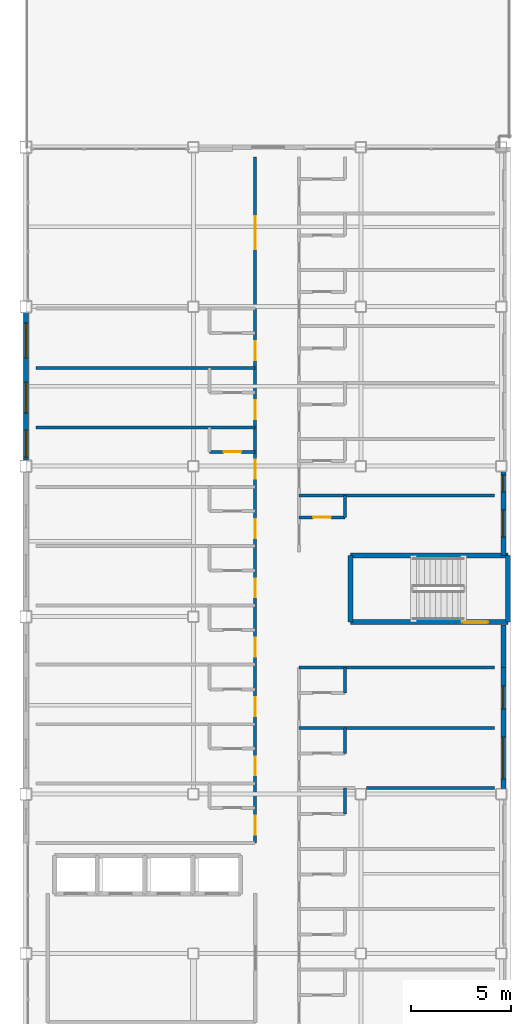
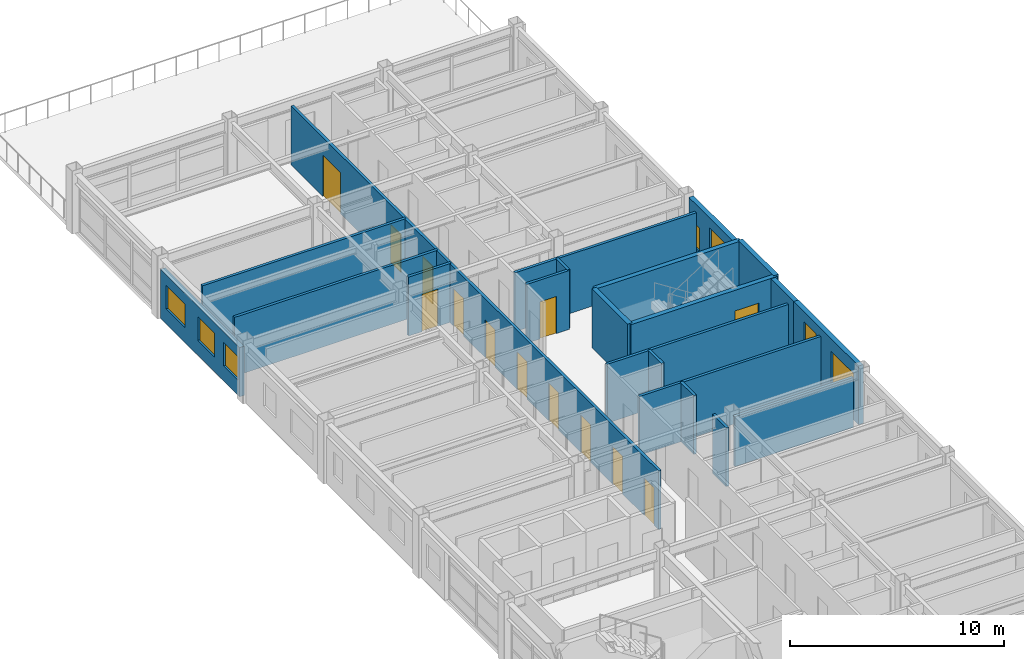
# One storey, part 31 of 36: 21 walls, 13 doors, 7 windows, 20 openings.
"""IFC4 building model written with IfcOpenShell, lengths in metres."""

from ifc_helpers import new_model, si_unit, direction, frame, frame_2d, origin, place, context, subcontext, project, spatial, rectangle, extrude, material, layer, layer_set, type_object, element, fill, save


model = new_model("IFC4")

# Units and contexts
model_context = context("Model", 3, precision=1e-05, world=origin(), true_north=direction((0.0, 1.0)))
body_context = subcontext(model_context, "Body", "Model", "MODEL_VIEW")
ifc_project = project(units=[si_unit("LENGTHUNIT", "METRE"), si_unit("AREAUNIT", "SQUARE_METRE"), si_unit("VOLUMEUNIT", "CUBIC_METRE"), si_unit("PLANEANGLEUNIT", "RADIAN"), si_unit("MASSUNIT", "GRAM", prefix="KILO")], contexts=[model_context])

# Site, building, storey
site_placement = place(None, origin())
site = spatial("IfcSite", under=ifc_project, at=site_placement, CompositionType="ELEMENT")
building_placement = place(site_placement, origin())
building = spatial("IfcBuilding", under=site, at=building_placement, Name="Kazehara Bluff Congress Hotel", CompositionType="ELEMENT")
storey_placement = place(building_placement, frame((0.0, 0.0, 31.800048828125)))
storey = spatial("IfcBuildingStorey", under=building, at=storey_placement, Name="L07", CompositionType="ELEMENT", Elevation=31.800048828125)

# Walls
ifc_material_1 = material(Name="Concrete C40/50", Category="concrete")
ifc_layer_1 = layer(ifc_material_1, 0.25)
ifc_layer_set_1 = layer_set([ifc_layer_1], Name="Concrete C40/50")
wall_type_1 = type_object("IfcWallType", Name="TP-CW-RC", PredefinedType="SHEAR", material=ifc_layer_set_1)
for number, where, z_axis, x_axis, name in (
    (1, (167.875, 76.425048828125, 0.0), (0.0, 0.0, 1.0), (0.0, -1.0, 0.0), "L07 ST-12 core wall near"),
    (2, (159.97509765625, 73.074951171875, 0.0), (0.0, 0.0, 1.0), (0.0, 1.0, 0.0), "L07 ST-12 core wall far"),
):
    element("IfcWall", number, at=place(storey_placement, frame(where, z_axis=z_axis, x_axis=x_axis)), inside=storey, type_object=wall_type_1, Name=name, PredefinedType="SHEAR", context=body_context, shape_type="SweptSolid", body=[
        extrude(rectangle(XDim=3.35009765625, YDim=0.25, at=frame_2d((1.675048828125, 0.0))), origin(), (0.0, 0.0, 1.0), 3.3798828125),
    ])
wall_1_placement = place(storey_placement, frame((159.97509765625, 76.425048828125, 0.0), z_axis=(0.0, 0.0, 1.0), x_axis=(1.0, 0.0, 0.0)))
element("IfcWall", 3, at=wall_1_placement, inside=storey, type_object=wall_type_1, Name="L07 ST-12 core wall left", PredefinedType="SHEAR", context=body_context, shape_type="SweptSolid", body=[
    extrude(rectangle(XDim=7.89990234375, YDim=0.25, at=frame_2d((3.949951171875, 0.0))), origin(), (0.0, 0.0, 1.0), 3.3798828125),
])

# Wall, opening, door
wall_2_placement = place(storey_placement, frame((167.875, 73.074951171875, 0.0), z_axis=(0.0, 0.0, 1.0), x_axis=(-1.0, 0.0, 0.0)))
wall_2 = element("IfcWall", 4, at=wall_2_placement, inside=storey, type_object=wall_type_1, Name="L07 ST-12 core wall right", PredefinedType="SHEAR", context=body_context, shape_type="SweptSolid", body=[
    extrude(rectangle(XDim=7.89990234375, YDim=0.25, at=frame_2d((3.949951171875, 0.0))), origin(), (0.0, 0.0, 1.0), 3.3798828125),
])
opening_1_placement = place(wall_2_placement, frame((0.985107421875, 0.0, 0.0)))
opening_1 = element("IfcOpeningElement", 5, at=opening_1_placement, cuts=wall_2, Name="Opening FD-01", PredefinedType="OPENING", context=body_context, shape_type="SweptSolid", body=[
    extrude(rectangle(XDim=1.300048828125, YDim=2.199951171875, at=frame_2d((0.64990234375, 1.10009765625))), frame((0.0, 0.135009765625, 0.0), z_axis=(0.0, -1.0, 0.0), x_axis=(1.0, 0.0, 0.0)), (0.0, 0.0, 1.0), 0.27001953125),
])
ifc_material_2 = material(Name="Fire-rated painted steel leaf", Category="steel")
door_type_1 = type_object("IfcDoorType", Name="TP-FD-01", OperationType="NOTDEFINED", PredefinedType="DOOR", material=ifc_material_2)
door_1_placement = place(opening_1_placement, origin())
door_1 = element("IfcDoor", 6, at=door_1_placement, inside=storey, type_object=door_type_1, Name="L07 ST-12 fire stair door", OperationType="SINGLE_SWING_LEFT", OverallHeight=2.199951171875, OverallWidth=1.300048828125, PredefinedType="DOOR", context=body_context, shape_type="SweptSolid", body=[
    extrude(rectangle(XDim=1.300048828125, YDim=2.199951171875, at=frame_2d((0.64990234375, 1.10009765625))), frame((0.0, 0.02490234375, 0.0), z_axis=(0.0, -1.0, 0.0), x_axis=(1.0, 0.0, 0.0)), (0.0, 0.0, 1.0), 0.050048828125),
])
fill(opening_1, door_1)

# Wall
ifc_material_3 = material(Name="Precast concrete C40/50", Category="concrete")
ifc_layer_2 = layer(ifc_material_3, 0.239990234375)
ifc_layer_set_2 = layer_set([ifc_layer_2], Name="Precast concrete C40/50")
wall_type_2 = type_object("IfcWallType", Name="TP-EW-240", PredefinedType="SOLIDWALL", material=ifc_layer_set_2)
wall_3_placement = place(storey_placement, frame((167.64990234375, 72.93994140625, 0.0), z_axis=(0.0, 0.0, 1.0), x_axis=(0.0, -1.0, 0.0)))
element("IfcWall", 7, at=wall_3_placement, inside=storey, type_object=wall_type_2, Name="L07 V5 perimeter spandrel pier 746", PredefinedType="SOLIDWALL", context=body_context, shape_type="SweptSolid", body=[
    extrude(rectangle(XDim=2.139892578125, YDim=0.239990234375, at=frame_2d((1.06982421875, 0.0))), origin(), (0.0, 0.0, 1.0), 3.364990234375),
])

# Wall, openings, windows
ifc_material_4 = material(Name="Precast concrete C40/50", Category="concrete")
ifc_layer_3 = layer(ifc_material_4, 0.260009765625)
ifc_layer_set_3 = layer_set([ifc_layer_3], Name="Precast concrete C40/50")
wall_type_3 = type_object("IfcWallType", Name="TP-EW-260", PredefinedType="SOLIDWALL", material=ifc_layer_set_3)
wall_4_placement = place(storey_placement, frame((167.64990234375, 70.800048828125, 0.0), z_axis=(0.0, 0.0, 1.0), x_axis=(0.0, -1.0, 0.0)))
wall_4 = element("IfcWall", 8, at=wall_4_placement, inside=storey, type_object=wall_type_3, Name="L07 hotel facade panel 97", PredefinedType="SOLIDWALL", context=body_context, shape_type="SweptSolid", body=[
    extrude(rectangle(XDim=6.074951171875, YDim=0.260009765625, at=frame_2d((3.03759765625, 0.0))), origin(), (0.0, 0.0, 1.0), 3.364990234375),
])
opening_2_placement = place(wall_4_placement, frame((3.4951171875, 0.0, 0.85009765625)))
opening_2 = element("IfcOpeningElement", 9, at=opening_2_placement, cuts=wall_4, Name="Opening WN-49", PredefinedType="OPENING", context=body_context, shape_type="SweptSolid", body=[
    extrude(rectangle(XDim=2.10009765625, YDim=1.800048828125, at=frame_2d((1.050048828125, 0.89990234375))), frame((0.0, 0.139892578125, 0.0), z_axis=(0.0, -1.0, 0.0), x_axis=(1.0, 0.0, 0.0)), (0.0, 0.0, 1.0), 0.280029296875),
])
opening_3_placement = place(wall_4_placement, frame((0.93994140625, 0.0, 0.85009765625)))
opening_3 = element("IfcOpeningElement", 10, at=opening_3_placement, cuts=wall_4, Name="Opening WN-05", PredefinedType="OPENING", context=body_context, shape_type="SweptSolid", body=[
    extrude(rectangle(XDim=1.14990234375, YDim=1.949951171875, at=frame_2d((0.574951171875, 0.97509765625))), frame((0.0, 0.139892578125, 0.0), z_axis=(0.0, -1.0, 0.0), x_axis=(1.0, 0.0, 0.0)), (0.0, 0.0, 1.0), 0.280029296875),
])
ifc_material_5 = material(Name="Insulated low-E double glazing", Category="glass")
window_type_1 = type_object("IfcWindowType", Name="TP-WN-05", PartitioningType="SINGLE_PANEL", PredefinedType="WINDOW", material=ifc_material_5)
window_1_placement = place(opening_3_placement, origin())
window_1 = element("IfcWindow", 11, at=window_1_placement, inside=storey, type_object=window_type_1, Name="L07 guestroom window WN-05 185", OverallHeight=1.949951171875, OverallWidth=1.14990234375, PartitioningType="SINGLE_PANEL", PredefinedType="WINDOW", context=body_context, shape_type="SweptSolid", body=[
    extrude(rectangle(XDim=1.14990234375, YDim=1.949951171875, at=frame_2d((0.574951171875, 0.97509765625))), frame((0.0, 0.030029296875, 0.0), z_axis=(0.0, -1.0, 0.0), x_axis=(1.0, 0.0, 0.0)), (0.0, 0.0, 1.0), 0.06005859375),
])
fill(opening_3, window_1)
ifc_material_6 = material(Name="Insulated low-E double glazing", Category="glass")
window_type_2 = type_object("IfcWindowType", Name="TP-WN-49", PartitioningType="DOUBLE_PANEL_VERTICAL", PredefinedType="WINDOW", material=ifc_material_6)
window_2_placement = place(opening_2_placement, origin())
window_2 = element("IfcWindow", 12, at=window_2_placement, inside=storey, type_object=window_type_2, Name="L07 guestroom window WN-49 184", OverallHeight=1.800048828125, OverallWidth=2.10009765625, PartitioningType="SINGLE_PANEL", PredefinedType="WINDOW", context=body_context, shape_type="SweptSolid", body=[
    extrude(rectangle(XDim=2.10009765625, YDim=1.800048828125, at=frame_2d((1.050048828125, 0.89990234375))), frame((0.0, 0.030029296875, 0.0), z_axis=(0.0, -1.0, 0.0), x_axis=(1.0, 0.0, 0.0)), (0.0, 0.0, 1.0), 0.06005859375),
])
fill(opening_2, window_2)

wall_5_placement = place(storey_placement, frame((167.64990234375, 80.625, 0.0), z_axis=(0.0, 0.0, 1.0), x_axis=(0.0, -1.0, 0.0)))
wall_5 = element("IfcWall", 13, at=wall_5_placement, inside=storey, type_object=wall_type_3, Name="L07 hotel facade panel 98", PredefinedType="SOLIDWALL", context=body_context, shape_type="SweptSolid", body=[
    extrude(rectangle(XDim=4.199951171875, YDim=0.260009765625, at=frame_2d((2.10009765625, 0.0))), origin(), (0.0, 0.0, 1.0), 3.364990234375),
])
opening_4_placement = place(wall_5_placement, frame((1.93505859375, 0.0, 0.85009765625)))
opening_4 = element("IfcOpeningElement", 14, at=opening_4_placement, cuts=wall_5, Name="Opening WN-15", PredefinedType="OPENING", context=body_context, shape_type="SweptSolid", body=[
    extrude(rectangle(XDim=1.35009765625, YDim=1.949951171875, at=frame_2d((0.675048828125, 0.97509765625))), frame((0.0, 0.139892578125, 0.0), z_axis=(0.0, -1.0, 0.0), x_axis=(1.0, 0.0, 0.0)), (0.0, 0.0, 1.0), 0.280029296875),
])
opening_5_placement = place(wall_5_placement, frame((0.169921875, 0.0, 0.85009765625)))
opening_5 = element("IfcOpeningElement", 15, at=opening_5_placement, cuts=wall_5, Name="Opening WN-55", PredefinedType="OPENING", context=body_context, shape_type="SweptSolid", body=[
    extrude(rectangle(XDim=0.85009765625, YDim=1.35009765625, at=frame_2d((0.425048828125, 0.675048828125))), frame((0.0, 0.139892578125, 0.0), z_axis=(0.0, -1.0, 0.0), x_axis=(1.0, 0.0, 0.0)), (0.0, 0.0, 1.0), 0.280029296875),
])
ifc_material_7 = material(Name="Insulated low-E double glazing", Category="glass")
window_type_3 = type_object("IfcWindowType", Name="TP-WN-15", PartitioningType="SINGLE_PANEL", PredefinedType="WINDOW", material=ifc_material_7)
window_3_placement = place(opening_4_placement, origin())
window_3 = element("IfcWindow", 16, at=window_3_placement, inside=storey, type_object=window_type_3, Name="L07 guestroom window WN-15 186", OverallHeight=1.949951171875, OverallWidth=1.35009765625, PartitioningType="SINGLE_PANEL", PredefinedType="WINDOW", context=body_context, shape_type="SweptSolid", body=[
    extrude(rectangle(XDim=1.35009765625, YDim=1.949951171875, at=frame_2d((0.675048828125, 0.97509765625))), frame((0.0, 0.030029296875, 0.0), z_axis=(0.0, -1.0, 0.0), x_axis=(1.0, 0.0, 0.0)), (0.0, 0.0, 1.0), 0.06005859375),
])
fill(opening_4, window_3)
ifc_material_8 = material(Name="Insulated low-E double glazing", Category="glass")
window_type_4 = type_object("IfcWindowType", Name="TP-WN-55", PartitioningType="SINGLE_PANEL", PredefinedType="WINDOW", material=ifc_material_8)
window_4_placement = place(opening_5_placement, origin())
window_4 = element("IfcWindow", 17, at=window_4_placement, inside=storey, type_object=window_type_4, Name="L07 guestroom window WN-55 187", OverallHeight=1.35009765625, OverallWidth=0.85009765625, PartitioningType="SINGLE_PANEL", PredefinedType="WINDOW", context=body_context, shape_type="SweptSolid", body=[
    extrude(rectangle(XDim=0.85009765625, YDim=1.35009765625, at=frame_2d((0.425048828125, 0.675048828125))), frame((0.0, 0.030029296875, 0.0), z_axis=(0.0, -1.0, 0.0), x_axis=(1.0, 0.0, 0.0)), (0.0, 0.0, 1.0), 0.06005859375),
])
fill(opening_5, window_4)

wall_6_placement = place(storey_placement, frame((143.699951171875, 81.199951171875, 0.0), z_axis=(0.0, 0.0, 1.0), x_axis=(0.0, 1.0, 0.0)))
wall_6 = element("IfcWall", 18, at=wall_6_placement, inside=storey, type_object=wall_type_3, Name="L07 hotel facade panel 108", PredefinedType="SOLIDWALL", context=body_context, shape_type="SweptSolid", body=[
    extrude(rectangle(XDim=7.400146484375, YDim=0.260009765625, at=frame_2d((3.7001953125, 0.0))), origin(), (0.0, 0.0, 1.0), 2.804931640625),
])
opening_6_placement = place(wall_6_placement, frame((0.14990234375, 0.0, 0.85009765625)))
opening_6 = element("IfcOpeningElement", 19, at=opening_6_placement, cuts=wall_6, Name="Opening WN-11", PredefinedType="OPENING", context=body_context, shape_type="SweptSolid", body=[
    extrude(rectangle(XDim=1.35009765625, YDim=1.35009765625, at=frame_2d((0.675048828125, 0.675048828125))), frame((0.0, 0.139892578125, 0.0), z_axis=(0.0, -1.0, 0.0), x_axis=(1.0, 0.0, 0.0)), (0.0, 0.0, 1.0), 0.280029296875),
])
opening_7_placement = place(wall_6_placement, frame((2.35498046875, 0.0, 0.85009765625)))
opening_7 = element("IfcOpeningElement", 20, at=opening_7_placement, cuts=wall_6, Name="Opening WN-21", PredefinedType="OPENING", context=body_context, shape_type="SweptSolid", body=[
    extrude(rectangle(XDim=1.550048828125, YDim=1.35009765625, at=frame_2d((0.77490234375, 0.675048828125))), frame((0.0, 0.139892578125, 0.0), z_axis=(0.0, -1.0, 0.0), x_axis=(1.0, 0.0, 0.0)), (0.0, 0.0, 1.0), 0.280029296875),
])
opening_8_placement = place(wall_6_placement, frame((5.135009765625, 0.0, 0.85009765625)))
opening_8 = element("IfcOpeningElement", 21, at=opening_8_placement, cuts=wall_6, Name="Opening WN-31", PredefinedType="OPENING", context=body_context, shape_type="SweptSolid", body=[
    extrude(rectangle(XDim=1.75, YDim=1.35009765625, at=frame_2d((0.875, 0.675048828125))), frame((0.0, 0.139892578125, 0.0), z_axis=(0.0, -1.0, 0.0), x_axis=(1.0, 0.0, 0.0)), (0.0, 0.0, 1.0), 0.280029296875),
])
ifc_material_9 = material(Name="Insulated low-E double glazing", Category="glass")
window_type_5 = type_object("IfcWindowType", Name="TP-WN-11", PartitioningType="SINGLE_PANEL", PredefinedType="WINDOW", material=ifc_material_9)
window_5_placement = place(opening_6_placement, origin())
window_5 = element("IfcWindow", 22, at=window_5_placement, inside=storey, type_object=window_type_5, Name="L07 guestroom window WN-11 206", OverallHeight=1.35009765625, OverallWidth=1.35009765625, PartitioningType="SINGLE_PANEL", PredefinedType="WINDOW", context=body_context, shape_type="SweptSolid", body=[
    extrude(rectangle(XDim=1.35009765625, YDim=1.35009765625, at=frame_2d((0.675048828125, 0.675048828125))), frame((0.0, 0.030029296875, 0.0), z_axis=(0.0, -1.0, 0.0), x_axis=(1.0, 0.0, 0.0)), (0.0, 0.0, 1.0), 0.06005859375),
])
fill(opening_6, window_5)
ifc_material_10 = material(Name="Insulated low-E double glazing", Category="glass")
window_type_6 = type_object("IfcWindowType", Name="TP-WN-21", PartitioningType="SINGLE_PANEL", PredefinedType="WINDOW", material=ifc_material_10)
window_6_placement = place(opening_7_placement, origin())
window_6 = element("IfcWindow", 23, at=window_6_placement, inside=storey, type_object=window_type_6, Name="L07 guestroom window WN-21 207", OverallHeight=1.35009765625, OverallWidth=1.550048828125, PartitioningType="SINGLE_PANEL", PredefinedType="WINDOW", context=body_context, shape_type="SweptSolid", body=[
    extrude(rectangle(XDim=1.550048828125, YDim=1.35009765625, at=frame_2d((0.77490234375, 0.675048828125))), frame((0.0, 0.030029296875, 0.0), z_axis=(0.0, -1.0, 0.0), x_axis=(1.0, 0.0, 0.0)), (0.0, 0.0, 1.0), 0.06005859375),
])
fill(opening_7, window_6)
ifc_material_11 = material(Name="Insulated low-E double glazing", Category="glass")
window_type_7 = type_object("IfcWindowType", Name="TP-WN-31", PartitioningType="SINGLE_PANEL", PredefinedType="WINDOW", material=ifc_material_11)
window_7_placement = place(opening_8_placement, origin())
window_7 = element("IfcWindow", 24, at=window_7_placement, inside=storey, type_object=window_type_7, Name="L07 guestroom window WN-31 208", OverallHeight=1.35009765625, OverallWidth=1.75, PartitioningType="SINGLE_PANEL", PredefinedType="WINDOW", context=body_context, shape_type="SweptSolid", body=[
    extrude(rectangle(XDim=1.75, YDim=1.35009765625, at=frame_2d((0.875, 0.675048828125))), frame((0.0, 0.030029296875, 0.0), z_axis=(0.0, -1.0, 0.0), x_axis=(1.0, 0.0, 0.0)), (0.0, 0.0, 1.0), 0.06005859375),
])
fill(opening_8, window_7)

# Walls
ifc_material_12 = material(Name="Fire-rated gypsum board stud partition")
ifc_layer_4 = layer(ifc_material_12, 0.14990234375)
ifc_layer_set_4 = layer_set([ifc_layer_4], Name="Fire-rated gypsum board stud partition")
wall_type_4 = type_object("IfcWallType", Name="TP-PT-150", PredefinedType="PARTITIONING", material=ifc_layer_set_4)
wall_7_placement = place(storey_placement, frame((160.794921875, 64.739990234375, 0.0), z_axis=(0.0, 0.0, 1.0), x_axis=(1.0, 0.0, 0.0)))
element("IfcWall", 25, at=wall_7_placement, inside=storey, type_object=wall_type_4, Name="L07 partition PT-150 921", PredefinedType="PARTITIONING", context=body_context, shape_type="SweptSolid", body=[
    extrude(rectangle(XDim=6.405029296875, YDim=0.14990234375, at=frame_2d((3.20263671875, 0.0))), origin(), (0.0, 0.0, 1.0), 2.85498046875),
])
for number, where, z_axis, x_axis, name in (
    (26, (157.39990234375, 67.77001953125, 0.0), (0.0, 0.0, 1.0), (1.0, 0.0, 0.0), "L07 partition PT-150 925"),
    (27, (157.39990234375, 70.800048828125, 0.0), (0.0, 0.0, 1.0), (1.0, 0.0, 0.0), "L07 partition PT-150 929"),
):
    element("IfcWall", number, at=place(storey_placement, frame(where, z_axis=z_axis, x_axis=x_axis)), inside=storey, type_object=wall_type_4, Name=name, PredefinedType="PARTITIONING", context=body_context, shape_type="SweptSolid", body=[
        extrude(rectangle(XDim=9.800048828125, YDim=0.14990234375, at=frame_2d((4.89990234375, 0.0))), origin(), (0.0, 0.0, 1.0), 3.364990234375),
    ])

# Wall, opening, door
wall_8_placement = place(storey_placement, frame((157.39990234375, 78.330078125, 0.0), z_axis=(0.0, 0.0, 1.0), x_axis=(1.0, 0.0, 0.0)))
wall_8 = element("IfcWall", 28, at=wall_8_placement, inside=storey, type_object=wall_type_4, Name="L07 partition PT-150 935", PredefinedType="PARTITIONING", context=body_context, shape_type="SweptSolid", body=[
    extrude(rectangle(XDim=2.300048828125, YDim=0.14990234375, at=frame_2d((1.14990234375, 0.0))), origin(), (0.0, 0.0, 1.0), 3.364990234375),
])
opening_9_placement = place(wall_8_placement, frame((0.7099609375, 0.0, 0.0)))
opening_9 = element("IfcOpeningElement", 29, at=opening_9_placement, cuts=wall_8, Name="Opening BD-02", PredefinedType="OPENING", context=body_context, shape_type="SweptSolid", body=[
    extrude(rectangle(XDim=0.8798828125, YDim=2.1201171875, at=frame_2d((0.43994140625, 1.06005859375))), frame((0.0, 0.0849609375, 0.0), z_axis=(0.0, -1.0, 0.0), x_axis=(1.0, 0.0, 0.0)), (0.0, 0.0, 1.0), 0.169921875),
])
ifc_material_13 = material(Name="Architectural oak veneer leaf")
door_type_2 = type_object("IfcDoorType", Name="TP-BD-02", OperationType="NOTDEFINED", PredefinedType="DOOR", material=ifc_material_13)
door_2_placement = place(opening_9_placement, origin())
door_2 = element("IfcDoor", 30, at=door_2_placement, inside=storey, type_object=door_type_2, Name="L07 En-suite Bathroom 202 door", OperationType="SINGLE_SWING_RIGHT", OverallHeight=2.1201171875, OverallWidth=0.8798828125, PredefinedType="DOOR", context=body_context, shape_type="SweptSolid", body=[
    extrude(rectangle(XDim=0.8798828125, YDim=2.1201171875, at=frame_2d((0.43994140625, 1.06005859375))), frame((0.0, 0.02490234375, 0.0), z_axis=(0.0, -1.0, 0.0), x_axis=(1.0, 0.0, 0.0)), (0.0, 0.0, 1.0), 0.050048828125),
])
fill(opening_9, door_2)

# Wall
wall_9_placement = place(storey_placement, frame((157.39990234375, 79.429931640625, 0.0), z_axis=(0.0, 0.0, 1.0), x_axis=(1.0, 0.0, 0.0)))
element("IfcWall", 31, at=wall_9_placement, inside=storey, type_object=wall_type_4, Name="L07 partition PT-150 937", PredefinedType="PARTITIONING", context=body_context, shape_type="SweptSolid", body=[
    extrude(rectangle(XDim=9.800048828125, YDim=0.14990234375, at=frame_2d((4.89990234375, 0.0))), origin(), (0.0, 0.0, 1.0), 3.364990234375),
])

# Wall, opening, door
wall_10_placement = place(storey_placement, frame((152.89990234375, 81.610107421875, 0.0), z_axis=(0.0, 0.0, 1.0), x_axis=(1.0, 0.0, 0.0)))
wall_10 = element("IfcWall", 32, at=wall_10_placement, inside=storey, type_object=wall_type_4, Name="L07 partition PT-150 940", PredefinedType="PARTITIONING", context=body_context, shape_type="SweptSolid", body=[
    extrude(rectangle(XDim=2.300048828125, YDim=0.14990234375, at=frame_2d((1.14990234375, 0.0))), origin(), (0.0, 0.0, 1.0), 3.364990234375),
])
opening_10_placement = place(wall_10_placement, frame((0.7099609375, 0.0, 0.0)))
opening_10 = element("IfcOpeningElement", 33, at=opening_10_placement, cuts=wall_10, Name="Opening BD-02", PredefinedType="OPENING", context=body_context, shape_type="SweptSolid", body=[
    extrude(rectangle(XDim=0.8798828125, YDim=2.1201171875, at=frame_2d((0.43994140625, 1.06005859375))), frame((0.0, 0.0849609375, 0.0), z_axis=(0.0, -1.0, 0.0), x_axis=(1.0, 0.0, 0.0)), (0.0, 0.0, 1.0), 0.169921875),
])
door_3_placement = place(opening_10_placement, origin())
door_3 = element("IfcDoor", 34, at=door_3_placement, inside=storey, type_object=door_type_2, Name="L07 En-suite Bathroom 180 door", OperationType="SINGLE_SWING_RIGHT", OverallHeight=2.1201171875, OverallWidth=0.8798828125, PredefinedType="DOOR", context=body_context, shape_type="SweptSolid", body=[
    extrude(rectangle(XDim=0.8798828125, YDim=2.1201171875, at=frame_2d((0.43994140625, 1.06005859375))), frame((0.0, 0.02490234375, 0.0), z_axis=(0.0, -1.0, 0.0), x_axis=(1.0, 0.0, 0.0)), (0.0, 0.0, 1.0), 0.050048828125),
])
fill(opening_10, door_3)

# Walls
for number, where, z_axis, x_axis, name in (
    (35, (144.199951171875, 82.840087890625, 0.0), (0.0, 0.0, 1.0), (1.0, 0.0, 0.0), "L07 partition PT-150 942"),
    (36, (144.199951171875, 85.820068359375, 0.0), (0.0, 0.0, 1.0), (1.0, 0.0, 0.0), "L07 partition PT-150 946"),
):
    element("IfcWall", number, at=place(storey_placement, frame(where, z_axis=z_axis, x_axis=x_axis)), inside=storey, type_object=wall_type_4, Name=name, PredefinedType="PARTITIONING", context=body_context, shape_type="SweptSolid", body=[
        extrude(rectangle(XDim=11.0, YDim=0.14990234375, at=frame_2d((5.5, 0.0))), origin(), (0.0, 0.0, 1.0), 3.364990234375),
    ])

# Wall, openings, doors
wall_11_placement = place(storey_placement, frame((155.199951171875, 62.0, 0.0), z_axis=(0.0, 0.0, 1.0), x_axis=(0.0, 1.0, 0.0)))
wall_11 = element("IfcWall", 37, at=wall_11_placement, inside=storey, type_object=wall_type_4, Name="L07 partition PT-150 981", PredefinedType="PARTITIONING", context=body_context, shape_type="SweptSolid", body=[
    extrude(rectangle(XDim=34.39990234375, YDim=0.14990234375, at=frame_2d((17.199951171875, 0.0))), origin(), (0.0, 0.0, 1.0), 3.364990234375),
])
opening_11_placement = place(wall_11_placement, frame((29.77490234375, 0.0, 0.0)))
opening_11 = element("IfcOpeningElement", 38, at=opening_11_placement, cuts=wall_11, Name="Opening AD-04", PredefinedType="OPENING", context=body_context, shape_type="SweptSolid", body=[
    extrude(rectangle(XDim=1.64990234375, YDim=2.35009765625, at=frame_2d((0.824951171875, 1.175048828125))), frame((0.0, 0.0849609375, 0.0), z_axis=(0.0, -1.0, 0.0), x_axis=(1.0, 0.0, 0.0)), (0.0, 0.0, 1.0), 0.169921875),
])
opening_12_placement = place(wall_11_placement, frame((0.39990234375, 0.0, 0.0)))
opening_12 = element("IfcOpeningElement", 39, at=opening_12_placement, cuts=wall_11, Name="Opening GD-01", PredefinedType="OPENING", context=body_context, shape_type="SweptSolid", body=[
    extrude(rectangle(XDim=0.949951171875, YDim=2.14990234375, at=frame_2d((0.47509765625, 1.074951171875))), frame((0.0, 0.0849609375, 0.0), z_axis=(0.0, -1.0, 0.0), x_axis=(1.0, 0.0, 0.0)), (0.0, 0.0, 1.0), 0.169921875),
])
opening_13_placement = place(wall_11_placement, frame((3.3798828125, 0.0, 0.0)))
opening_13 = element("IfcOpeningElement", 40, at=opening_13_placement, cuts=wall_11, Name="Opening GD-01", PredefinedType="OPENING", context=body_context, shape_type="SweptSolid", body=[
    extrude(rectangle(XDim=0.949951171875, YDim=2.14990234375, at=frame_2d((0.47509765625, 1.074951171875))), frame((0.0, 0.0849609375, 0.0), z_axis=(0.0, -1.0, 0.0), x_axis=(1.0, 0.0, 0.0)), (0.0, 0.0, 1.0), 0.169921875),
])
opening_14_placement = place(wall_11_placement, frame((6.35498046875, 0.0, 0.0)))
opening_14 = element("IfcOpeningElement", 41, at=opening_14_placement, cuts=wall_11, Name="Opening GD-01", PredefinedType="OPENING", context=body_context, shape_type="SweptSolid", body=[
    extrude(rectangle(XDim=0.949951171875, YDim=2.14990234375, at=frame_2d((0.47509765625, 1.074951171875))), frame((0.0, 0.0849609375, 0.0), z_axis=(0.0, -1.0, 0.0), x_axis=(1.0, 0.0, 0.0)), (0.0, 0.0, 1.0), 0.169921875),
])
opening_15_placement = place(wall_11_placement, frame((9.3349609375, 0.0, 0.0)))
opening_15 = element("IfcOpeningElement", 42, at=opening_15_placement, cuts=wall_11, Name="Opening GD-01", PredefinedType="OPENING", context=body_context, shape_type="SweptSolid", body=[
    extrude(rectangle(XDim=0.949951171875, YDim=2.14990234375, at=frame_2d((0.47509765625, 1.074951171875))), frame((0.0, 0.0849609375, 0.0), z_axis=(0.0, -1.0, 0.0), x_axis=(1.0, 0.0, 0.0)), (0.0, 0.0, 1.0), 0.169921875),
])
opening_16_placement = place(wall_11_placement, frame((12.31005859375, 0.0, 0.0)))
opening_16 = element("IfcOpeningElement", 43, at=opening_16_placement, cuts=wall_11, Name="Opening GD-01", PredefinedType="OPENING", context=body_context, shape_type="SweptSolid", body=[
    extrude(rectangle(XDim=0.949951171875, YDim=2.14990234375, at=frame_2d((0.47509765625, 1.074951171875))), frame((0.0, 0.0849609375, 0.0), z_axis=(0.0, -1.0, 0.0), x_axis=(1.0, 0.0, 0.0)), (0.0, 0.0, 1.0), 0.169921875),
])
opening_17_placement = place(wall_11_placement, frame((15.2900390625, 0.0, 0.0)))
opening_17 = element("IfcOpeningElement", 44, at=opening_17_placement, cuts=wall_11, Name="Opening GD-01", PredefinedType="OPENING", context=body_context, shape_type="SweptSolid", body=[
    extrude(rectangle(XDim=0.949951171875, YDim=2.14990234375, at=frame_2d((0.47509765625, 1.074951171875))), frame((0.0, 0.0849609375, 0.0), z_axis=(0.0, -1.0, 0.0), x_axis=(1.0, 0.0, 0.0)), (0.0, 0.0, 1.0), 0.169921875),
])
opening_18_placement = place(wall_11_placement, frame((18.264892578125, 0.0, 0.0)))
opening_18 = element("IfcOpeningElement", 45, at=opening_18_placement, cuts=wall_11, Name="Opening GD-01", PredefinedType="OPENING", context=body_context, shape_type="SweptSolid", body=[
    extrude(rectangle(XDim=0.949951171875, YDim=2.14990234375, at=frame_2d((0.47509765625, 1.074951171875))), frame((0.0, 0.0849609375, 0.0), z_axis=(0.0, -1.0, 0.0), x_axis=(1.0, 0.0, 0.0)), (0.0, 0.0, 1.0), 0.169921875),
])
opening_19_placement = place(wall_11_placement, frame((21.2451171875, 0.0, 0.0)))
opening_19 = element("IfcOpeningElement", 46, at=opening_19_placement, cuts=wall_11, Name="Opening GD-01", PredefinedType="OPENING", context=body_context, shape_type="SweptSolid", body=[
    extrude(rectangle(XDim=0.949951171875, YDim=2.14990234375, at=frame_2d((0.47509765625, 1.074951171875))), frame((0.0, 0.0849609375, 0.0), z_axis=(0.0, -1.0, 0.0), x_axis=(1.0, 0.0, 0.0)), (0.0, 0.0, 1.0), 0.169921875),
])
opening_20_placement = place(wall_11_placement, frame((24.219970703125, 0.0, 0.0)))
opening_20 = element("IfcOpeningElement", 47, at=opening_20_placement, cuts=wall_11, Name="Opening GD-01", PredefinedType="OPENING", context=body_context, shape_type="SweptSolid", body=[
    extrude(rectangle(XDim=0.949951171875, YDim=2.14990234375, at=frame_2d((0.47509765625, 1.074951171875))), frame((0.0, 0.0849609375, 0.0), z_axis=(0.0, -1.0, 0.0), x_axis=(1.0, 0.0, 0.0)), (0.0, 0.0, 1.0), 0.169921875),
])
ifc_material_14 = material(Name="Architectural oak veneer leaf")
door_type_3 = type_object("IfcDoorType", Name="TP-AD-04", OperationType="DOUBLE_DOOR_SINGLE_SWING", PredefinedType="DOOR", material=ifc_material_14)
door_4_placement = place(opening_11_placement, origin())
door_4 = element("IfcDoor", 48, at=door_4_placement, inside=storey, type_object=door_type_3, Name="L07 North Sky Terrace Salon door", OperationType="DOUBLE_DOOR_SINGLE_SWING", OverallHeight=2.35009765625, OverallWidth=1.64990234375, PredefinedType="DOOR", context=body_context, shape_type="SweptSolid", body=[
    extrude(rectangle(XDim=1.64990234375, YDim=2.35009765625, at=frame_2d((0.824951171875, 1.175048828125))), frame((0.0, 0.02490234375, 0.0), z_axis=(0.0, -1.0, 0.0), x_axis=(1.0, 0.0, 0.0)), (0.0, 0.0, 1.0), 0.050048828125),
])
fill(opening_11, door_4)
ifc_material_15 = material(Name="Architectural oak veneer leaf")
door_type_4 = type_object("IfcDoorType", Name="TP-GD-01", OperationType="NOTDEFINED", PredefinedType="DOOR", material=ifc_material_15)
door_5_placement = place(opening_12_placement, origin())
door_5 = element("IfcDoor", 49, at=door_5_placement, inside=storey, type_object=door_type_4, Name="L07 Deluxe Twin Guest Room 174 door", OperationType="SINGLE_SWING_LEFT", OverallHeight=2.14990234375, OverallWidth=0.949951171875, PredefinedType="DOOR", context=body_context, shape_type="SweptSolid", body=[
    extrude(rectangle(XDim=0.949951171875, YDim=2.14990234375, at=frame_2d((0.47509765625, 1.074951171875))), frame((0.0, 0.02490234375, 0.0), z_axis=(0.0, -1.0, 0.0), x_axis=(1.0, 0.0, 0.0)), (0.0, 0.0, 1.0), 0.050048828125),
])
fill(opening_12, door_5)
door_6_placement = place(opening_13_placement, origin())
door_6 = element("IfcDoor", 50, at=door_6_placement, inside=storey, type_object=door_type_4, Name="L07 Standard King Guest Room 175 door", OperationType="SINGLE_SWING_LEFT", OverallHeight=2.14990234375, OverallWidth=0.949951171875, PredefinedType="DOOR", context=body_context, shape_type="SweptSolid", body=[
    extrude(rectangle(XDim=0.949951171875, YDim=2.14990234375, at=frame_2d((0.47509765625, 1.074951171875))), frame((0.0, 0.02490234375, 0.0), z_axis=(0.0, -1.0, 0.0), x_axis=(1.0, 0.0, 0.0)), (0.0, 0.0, 1.0), 0.050048828125),
])
fill(opening_13, door_6)
door_7_placement = place(opening_14_placement, origin())
door_7 = element("IfcDoor", 51, at=door_7_placement, inside=storey, type_object=door_type_4, Name="L07 Deluxe Twin Guest Room 176 door", OperationType="SINGLE_SWING_LEFT", OverallHeight=2.14990234375, OverallWidth=0.949951171875, PredefinedType="DOOR", context=body_context, shape_type="SweptSolid", body=[
    extrude(rectangle(XDim=0.949951171875, YDim=2.14990234375, at=frame_2d((0.47509765625, 1.074951171875))), frame((0.0, 0.02490234375, 0.0), z_axis=(0.0, -1.0, 0.0), x_axis=(1.0, 0.0, 0.0)), (0.0, 0.0, 1.0), 0.050048828125),
])
fill(opening_14, door_7)
door_8_placement = place(opening_15_placement, origin())
door_8 = element("IfcDoor", 52, at=door_8_placement, inside=storey, type_object=door_type_4, Name="L07 Standard King Guest Room 177 door", OperationType="SINGLE_SWING_LEFT", OverallHeight=2.14990234375, OverallWidth=0.949951171875, PredefinedType="DOOR", context=body_context, shape_type="SweptSolid", body=[
    extrude(rectangle(XDim=0.949951171875, YDim=2.14990234375, at=frame_2d((0.47509765625, 1.074951171875))), frame((0.0, 0.02490234375, 0.0), z_axis=(0.0, -1.0, 0.0), x_axis=(1.0, 0.0, 0.0)), (0.0, 0.0, 1.0), 0.050048828125),
])
fill(opening_15, door_8)
door_9_placement = place(opening_16_placement, origin())
door_9 = element("IfcDoor", 53, at=door_9_placement, inside=storey, type_object=door_type_4, Name="L07 Deluxe Twin Guest Room 178 door", OperationType="SINGLE_SWING_LEFT", OverallHeight=2.14990234375, OverallWidth=0.949951171875, PredefinedType="DOOR", context=body_context, shape_type="SweptSolid", body=[
    extrude(rectangle(XDim=0.949951171875, YDim=2.14990234375, at=frame_2d((0.47509765625, 1.074951171875))), frame((0.0, 0.02490234375, 0.0), z_axis=(0.0, -1.0, 0.0), x_axis=(1.0, 0.0, 0.0)), (0.0, 0.0, 1.0), 0.050048828125),
])
fill(opening_16, door_9)
door_10_placement = place(opening_17_placement, origin())
door_10 = element("IfcDoor", 54, at=door_10_placement, inside=storey, type_object=door_type_4, Name="L07 Standard King Guest Room 179 door", OperationType="SINGLE_SWING_LEFT", OverallHeight=2.14990234375, OverallWidth=0.949951171875, PredefinedType="DOOR", context=body_context, shape_type="SweptSolid", body=[
    extrude(rectangle(XDim=0.949951171875, YDim=2.14990234375, at=frame_2d((0.47509765625, 1.074951171875))), frame((0.0, 0.02490234375, 0.0), z_axis=(0.0, -1.0, 0.0), x_axis=(1.0, 0.0, 0.0)), (0.0, 0.0, 1.0), 0.050048828125),
])
fill(opening_17, door_10)
door_11_placement = place(opening_18_placement, origin())
door_11 = element("IfcDoor", 55, at=door_11_placement, inside=storey, type_object=door_type_4, Name="L07 Deluxe Twin Guest Room 180 door", OperationType="SINGLE_SWING_LEFT", OverallHeight=2.14990234375, OverallWidth=0.949951171875, PredefinedType="DOOR", context=body_context, shape_type="SweptSolid", body=[
    extrude(rectangle(XDim=0.949951171875, YDim=2.14990234375, at=frame_2d((0.47509765625, 1.074951171875))), frame((0.0, 0.02490234375, 0.0), z_axis=(0.0, -1.0, 0.0), x_axis=(1.0, 0.0, 0.0)), (0.0, 0.0, 1.0), 0.050048828125),
])
fill(opening_18, door_11)
door_12_placement = place(opening_19_placement, origin())
door_12 = element("IfcDoor", 56, at=door_12_placement, inside=storey, type_object=door_type_4, Name="L07 Standard King Guest Room 181 door", OperationType="SINGLE_SWING_LEFT", OverallHeight=2.14990234375, OverallWidth=0.949951171875, PredefinedType="DOOR", context=body_context, shape_type="SweptSolid", body=[
    extrude(rectangle(XDim=0.949951171875, YDim=2.14990234375, at=frame_2d((0.47509765625, 1.074951171875))), frame((0.0, 0.02490234375, 0.0), z_axis=(0.0, -1.0, 0.0), x_axis=(1.0, 0.0, 0.0)), (0.0, 0.0, 1.0), 0.050048828125),
])
fill(opening_19, door_12)
door_13_placement = place(opening_20_placement, origin())
door_13 = element("IfcDoor", 57, at=door_13_placement, inside=storey, type_object=door_type_4, Name="L07 Deluxe Twin Guest Room 182 door", OperationType="SINGLE_SWING_LEFT", OverallHeight=2.14990234375, OverallWidth=0.949951171875, PredefinedType="DOOR", context=body_context, shape_type="SweptSolid", body=[
    extrude(rectangle(XDim=0.949951171875, YDim=2.14990234375, at=frame_2d((0.47509765625, 1.074951171875))), frame((0.0, 0.02490234375, 0.0), z_axis=(0.0, -1.0, 0.0), x_axis=(1.0, 0.0, 0.0)), (0.0, 0.0, 1.0), 0.050048828125),
])
fill(opening_20, door_13)

# Walls
wall_12_placement = place(storey_placement, frame((159.699951171875, 63.455078125, 0.0), z_axis=(0.0, 0.0, 1.0), x_axis=(0.0, 1.0, 0.0)))
element("IfcWall", 58, at=wall_12_placement, inside=storey, type_object=wall_type_4, Name="L07 partition PT-150 1001", PredefinedType="PARTITIONING", context=body_context, shape_type="SweptSolid", body=[
    extrude(rectangle(XDim=1.284912109375, YDim=0.14990234375, at=frame_2d((0.642578125, 0.0))), origin(), (0.0, 0.0, 1.0), 3.364990234375),
])
for number, where, z_axis, x_axis, name in (
    (59, (159.699951171875, 66.489990234375, 0.0), (0.0, 0.0, 1.0), (0.0, 1.0, 0.0), "L07 partition PT-150 1002"),
    (60, (159.699951171875, 69.52001953125, 0.0), (0.0, 0.0, 1.0), (0.0, 1.0, 0.0), "L07 partition PT-150 1003"),
):
    element("IfcWall", number, at=place(storey_placement, frame(where, z_axis=z_axis, x_axis=x_axis)), inside=storey, type_object=wall_type_4, Name=name, PredefinedType="PARTITIONING", context=body_context, shape_type="SweptSolid", body=[
        extrude(rectangle(XDim=1.280029296875, YDim=0.14990234375, at=frame_2d((0.64013671875, 0.0))), origin(), (0.0, 0.0, 1.0), 3.364990234375),
    ])
wall_13_placement = place(storey_placement, frame((159.699951171875, 78.330078125, 0.0), z_axis=(0.0, 0.0, 1.0), x_axis=(0.0, 1.0, 0.0)))
element("IfcWall", 61, at=wall_13_placement, inside=storey, type_object=wall_type_4, Name="L07 partition PT-150 1004", PredefinedType="PARTITIONING", context=body_context, shape_type="SweptSolid", body=[
    extrude(rectangle(XDim=1.099853515625, YDim=0.14990234375, at=frame_2d((0.5498046875, 0.0))), origin(), (0.0, 0.0, 1.0), 3.364990234375),
])

save(model, "model.ifc")
